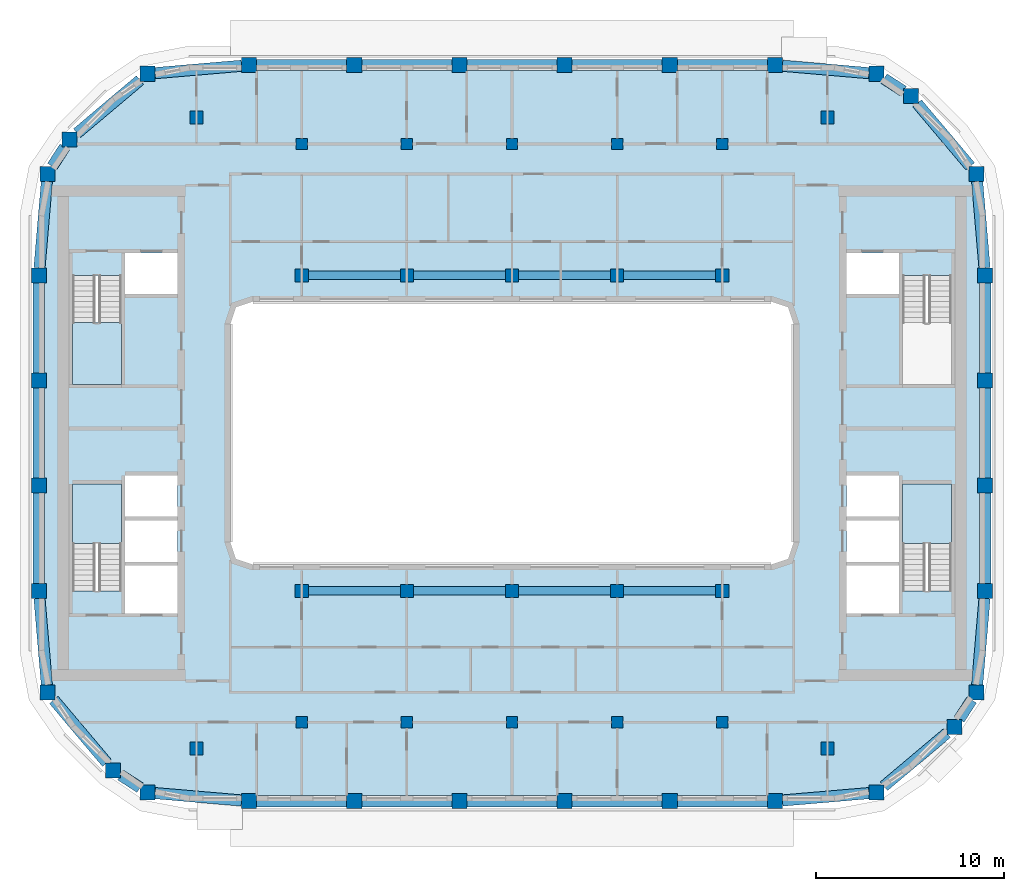
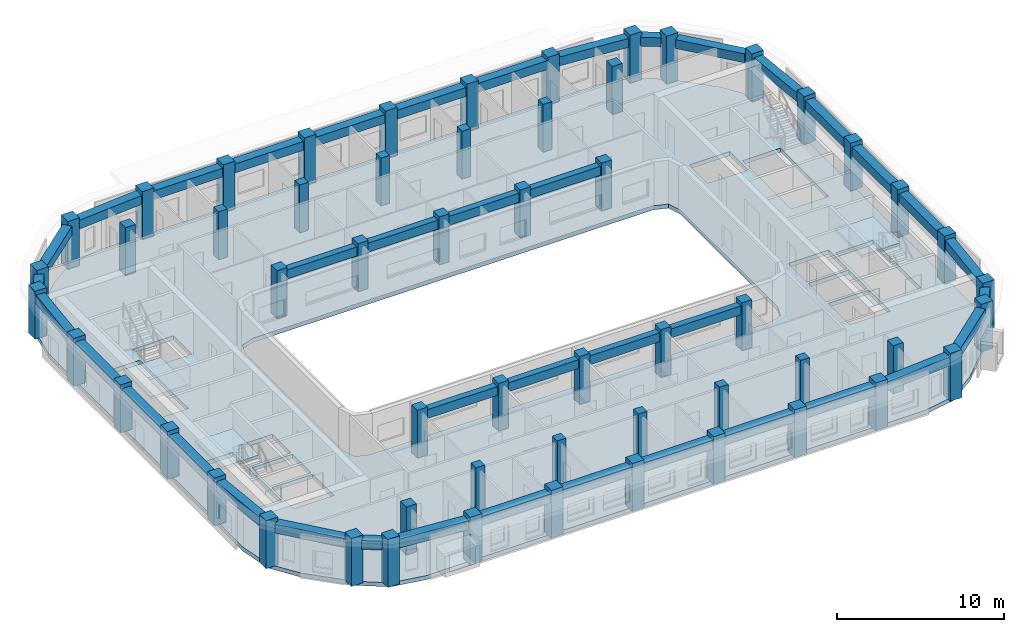
# One storey, part 1 of 16: 56 columns, 40 beams, 4 slabs, 3 elements without a shape of their own.
"""IFC4 building model written with IfcOpenShell, lengths in metres."""

from ifc_helpers import new_model, si_unit, direction, frame, origin, origin_2d, place, context, subcontext, project, spatial, polyline, rectangle, outline, extrude, material, layer, layer_set, material_profile, profile_set, type_object, element, aggregate, save


model = new_model("IFC4")

# Units and contexts
model_context = context("Model", 3, precision=1e-05, world=origin(), true_north=direction((0.0, 1.0)))
body_context = subcontext(model_context, "Body", "Model", "MODEL_VIEW")
ifc_project = project(units=[si_unit("LENGTHUNIT", "METRE"), si_unit("AREAUNIT", "SQUARE_METRE"), si_unit("VOLUMEUNIT", "CUBIC_METRE"), si_unit("PLANEANGLEUNIT", "RADIAN"), si_unit("MASSUNIT", "GRAM", prefix="KILO")], contexts=[model_context])

# Site, building, storey
site_placement = place(None, origin())
site = spatial("IfcSite", under=ifc_project, at=site_placement, CompositionType="ELEMENT")
building_placement = place(site_placement, origin())
building = spatial("IfcBuilding", under=site, at=building_placement, Name="Kiln Ring Residences", CompositionType="ELEMENT")
storey_placement = place(building_placement, frame((0.0, 0.0, 255.699951171875)))
storey = spatial("IfcBuildingStorey", under=building, at=storey_placement, Name="L66", CompositionType="ELEMENT", Elevation=255.699951171875)

# Columns
ifc_material_1 = material(Name="Concrete C60/75", Category="concrete")
ifc_material_profile_1 = material_profile(ifc_material_1, rectangle(XDim=0.60009765625, YDim=0.60009765625, at=origin_2d()), Name="RC600x600")
ifc_profile_set_1 = profile_set([ifc_material_profile_1], Name="Concrete C60/75")
column_type_1 = type_object("IfcColumnType", Name="Corridor column RC600x600 C60/75", PredefinedType="COLUMN", material=ifc_profile_set_1)
for number, where, z_axis, x_axis, name in (
    (1, (-11.199951171875, 15.39990234375, 0.0), (0.0, 0.0, 1.0), (1.0, 0.0, 0.0), "Corridor column L66 1"),
    (2, (-5.60009765625, 15.39990234375, 0.0), (0.0, 0.0, 1.0), (1.0, 0.0, 0.0), "Corridor column L66 2"),
    (3, (0.0, 15.39990234375, 0.0), (0.0, 0.0, 1.0), (1.0, 0.0, 0.0), "Corridor column L66 3"),
    (4, (5.60009765625, 15.39990234375, 0.0), (0.0, 0.0, 1.0), (1.0, 0.0, 0.0), "Corridor column L66 4"),
    (5, (11.199951171875, 15.39990234375, 0.0), (0.0, 0.0, 1.0), (1.0, 0.0, 0.0), "Corridor column L66 5"),
    (6, (-11.199951171875, -15.39990234375, 0.0), (0.0, 0.0, 1.0), (1.0, 0.0, 0.0), "Corridor column L66 6"),
    (7, (-5.60009765625, -15.39990234375, 0.0), (0.0, 0.0, 1.0), (1.0, 0.0, 0.0), "Corridor column L66 7"),
    (8, (0.0, -15.39990234375, 0.0), (0.0, 0.0, 1.0), (1.0, 0.0, 0.0), "Corridor column L66 8"),
    (9, (5.60009765625, -15.39990234375, 0.0), (0.0, 0.0, 1.0), (1.0, 0.0, 0.0), "Corridor column L66 9"),
    (10, (11.199951171875, -15.39990234375, 0.0), (0.0, 0.0, 1.0), (1.0, 0.0, 0.0), "Corridor column L66 10"),
):
    element("IfcColumn", number, at=place(storey_placement, frame(where, z_axis=z_axis, x_axis=x_axis)), inside=storey, type_object=column_type_1, Name=name, PredefinedType="COLUMN", context=body_context, shape_type="SweptSolid", body=[
        extrude(rectangle(XDim=0.60009765625, YDim=0.60009765625, at=origin_2d()), origin(), (0.0, 0.0, 1.0), 3.5),
    ])
ifc_material_2 = material(Name="Concrete C60/75", Category="concrete")
ifc_material_profile_2 = material_profile(ifc_material_2, rectangle(XDim=0.800048828125, YDim=0.800048828125, at=origin_2d()), Name="RC800x800")
ifc_profile_set_2 = profile_set([ifc_material_profile_2], Name="Concrete C60/75")
column_type_2 = type_object("IfcColumnType", Name="Perimeter column RC800x800 C60/75", PredefinedType="COLUMN", material=ifc_profile_set_2)
for number, where, z_axis, x_axis, name in (
    (11, (-19.40869140625, -19.13818359375, 0.0), (0.0, 0.0, 1.0), (1.0, 0.0, 0.0), "Perimeter column L66 1"),
    (12, (-14.0, -19.60009765625, 0.0), (0.0, 0.0, 1.0), (1.0, 0.0, 0.0), "Perimeter column L66 2"),
    (13, (-8.39990234375, -19.60009765625, 0.0), (0.0, 0.0, 1.0), (1.0, 0.0, 0.0), "Perimeter column L66 3"),
    (14, (-2.800048828125, -19.60009765625, 0.0), (0.0, 0.0, 1.0), (1.0, 0.0, 0.0), "Perimeter column L66 4"),
    (15, (2.800048828125, -19.60009765625, 0.0), (0.0, 0.0, 1.0), (1.0, 0.0, 0.0), "Perimeter column L66 5"),
    (16, (8.39990234375, -19.60009765625, 0.0), (0.0, 0.0, 1.0), (1.0, 0.0, 0.0), "Perimeter column L66 6"),
    (17, (14.0, -19.60009765625, 0.0), (0.0, 0.0, 1.0), (1.0, 0.0, 0.0), "Perimeter column L66 7"),
    (18, (19.40869140625, -19.13818359375, 0.0), (0.0, 0.0, 1.0), (1.0, 0.0, 0.0), "Perimeter column L66 8"),
    (19, (23.559814453125, -15.64013671875, 0.0), (0.0, 0.0, 1.0), (1.0, 0.0, 0.0), "Perimeter column L66 9"),
    (20, (24.738037109375, -13.80859375, 0.0), (0.0, 0.0, 1.0), (1.0, 0.0, 0.0), "Perimeter column L66 10"),
    (21, (25.199951171875, -8.39990234375, 0.0), (0.0, 0.0, 1.0), (1.0, 0.0, 0.0), "Perimeter column L66 11"),
    (22, (25.199951171875, -2.800048828125, 0.0), (0.0, 0.0, 1.0), (1.0, 0.0, 0.0), "Perimeter column L66 12"),
    (23, (25.199951171875, 2.800048828125, 0.0), (0.0, 0.0, 1.0), (1.0, 0.0, 0.0), "Perimeter column L66 13"),
    (24, (25.199951171875, 8.39990234375, 0.0), (0.0, 0.0, 1.0), (1.0, 0.0, 0.0), "Perimeter column L66 14"),
    (25, (24.738037109375, 13.80859375, 0.0), (0.0, 0.0, 1.0), (1.0, 0.0, 0.0), "Perimeter column L66 15"),
    (26, (21.240234375, 17.959716796875, 0.0), (0.0, 0.0, 1.0), (1.0, 0.0, 0.0), "Perimeter column L66 16"),
    (27, (19.40869140625, 19.13818359375, 0.0), (0.0, 0.0, 1.0), (1.0, 0.0, 0.0), "Perimeter column L66 17"),
    (28, (14.0, 19.60009765625, 0.0), (0.0, 0.0, 1.0), (1.0, 0.0, 0.0), "Perimeter column L66 18"),
    (29, (8.39990234375, 19.60009765625, 0.0), (0.0, 0.0, 1.0), (1.0, 0.0, 0.0), "Perimeter column L66 19"),
    (30, (2.800048828125, 19.60009765625, 0.0), (0.0, 0.0, 1.0), (1.0, 0.0, 0.0), "Perimeter column L66 20"),
    (31, (-2.800048828125, 19.60009765625, 0.0), (0.0, 0.0, 1.0), (1.0, 0.0, 0.0), "Perimeter column L66 21"),
    (32, (-8.39990234375, 19.60009765625, 0.0), (0.0, 0.0, 1.0), (1.0, 0.0, 0.0), "Perimeter column L66 22"),
    (33, (-14.0, 19.60009765625, 0.0), (0.0, 0.0, 1.0), (1.0, 0.0, 0.0), "Perimeter column L66 23"),
    (34, (-19.40869140625, 19.13818359375, 0.0), (0.0, 0.0, 1.0), (1.0, 0.0, 0.0), "Perimeter column L66 24"),
    (35, (-23.559814453125, 15.64013671875, 0.0), (0.0, 0.0, 1.0), (1.0, 0.0, 0.0), "Perimeter column L66 25"),
    (36, (-24.738037109375, 13.80859375, 0.0), (0.0, 0.0, 1.0), (1.0, 0.0, 0.0), "Perimeter column L66 26"),
    (37, (-25.199951171875, 8.39990234375, 0.0), (0.0, 0.0, 1.0), (1.0, 0.0, 0.0), "Perimeter column L66 27"),
    (38, (-25.199951171875, 2.800048828125, 0.0), (0.0, 0.0, 1.0), (1.0, 0.0, 0.0), "Perimeter column L66 28"),
    (39, (-25.199951171875, -2.800048828125, 0.0), (0.0, 0.0, 1.0), (1.0, 0.0, 0.0), "Perimeter column L66 29"),
    (40, (-25.199951171875, -8.39990234375, 0.0), (0.0, 0.0, 1.0), (1.0, 0.0, 0.0), "Perimeter column L66 30"),
    (41, (-24.738037109375, -13.80859375, 0.0), (0.0, 0.0, 1.0), (1.0, 0.0, 0.0), "Perimeter column L66 31"),
    (42, (-21.240234375, -17.959716796875, 0.0), (0.0, 0.0, 1.0), (1.0, 0.0, 0.0), "Perimeter column L66 32"),
):
    element("IfcColumn", number, at=place(storey_placement, frame(where, z_axis=z_axis, x_axis=x_axis)), inside=storey, type_object=column_type_2, Name=name, PredefinedType="COLUMN", context=body_context, shape_type="SweptSolid", body=[
        extrude(rectangle(XDim=0.800048828125, YDim=0.800048828125, at=origin_2d()), origin(), (0.0, 0.0, 1.0), 3.5),
    ])
ifc_material_3 = material(Name="Concrete C60/75", Category="concrete")
ifc_material_profile_3 = material_profile(ifc_material_3, rectangle(XDim=0.699951171875, YDim=0.699951171875, at=origin_2d()), Name="RC700x700")
ifc_profile_set_3 = profile_set([ifc_material_profile_3], Name="Concrete C60/75")
column_type_3 = type_object("IfcColumnType", Name="Ring column RC700x700 C60/75", PredefinedType="COLUMN", material=ifc_profile_set_3)
for number, where, z_axis, x_axis, name in (
    (43, (-16.800048828125, -16.800048828125, 0.0), (0.0, 0.0, 1.0), (1.0, 0.0, 0.0), "Ring column L66 1"),
    (44, (-16.800048828125, 16.800048828125, 0.0), (0.0, 0.0, 1.0), (1.0, 0.0, 0.0), "Ring column L66 2"),
    (45, (-11.199951171875, -8.39990234375, 0.0), (0.0, 0.0, 1.0), (1.0, 0.0, 0.0), "Ring column L66 3"),
    (46, (-11.199951171875, 8.39990234375, 0.0), (0.0, 0.0, 1.0), (1.0, 0.0, 0.0), "Ring column L66 4"),
    (47, (-5.60009765625, -8.39990234375, 0.0), (0.0, 0.0, 1.0), (1.0, 0.0, 0.0), "Ring column L66 5"),
    (48, (-5.60009765625, 8.39990234375, 0.0), (0.0, 0.0, 1.0), (1.0, 0.0, 0.0), "Ring column L66 6"),
    (49, (0.0, -8.39990234375, 0.0), (0.0, 0.0, 1.0), (1.0, 0.0, 0.0), "Ring column L66 7"),
    (50, (0.0, 8.39990234375, 0.0), (0.0, 0.0, 1.0), (1.0, 0.0, 0.0), "Ring column L66 8"),
    (51, (5.60009765625, -8.39990234375, 0.0), (0.0, 0.0, 1.0), (1.0, 0.0, 0.0), "Ring column L66 9"),
    (52, (5.60009765625, 8.39990234375, 0.0), (0.0, 0.0, 1.0), (1.0, 0.0, 0.0), "Ring column L66 10"),
    (53, (11.199951171875, -8.39990234375, 0.0), (0.0, 0.0, 1.0), (1.0, 0.0, 0.0), "Ring column L66 11"),
    (54, (11.199951171875, 8.39990234375, 0.0), (0.0, 0.0, 1.0), (1.0, 0.0, 0.0), "Ring column L66 12"),
    (55, (16.800048828125, -16.800048828125, 0.0), (0.0, 0.0, 1.0), (1.0, 0.0, 0.0), "Ring column L66 13"),
    (56, (16.800048828125, 16.800048828125, 0.0), (0.0, 0.0, 1.0), (1.0, 0.0, 0.0), "Ring column L66 14"),
):
    element("IfcColumn", number, at=place(storey_placement, frame(where, z_axis=z_axis, x_axis=x_axis)), inside=storey, type_object=column_type_3, Name=name, PredefinedType="COLUMN", context=body_context, shape_type="SweptSolid", body=[
        extrude(rectangle(XDim=0.699951171875, YDim=0.699951171875, at=origin_2d()), origin(), (0.0, 0.0, 1.0), 3.5),
    ])

# Beams
ifc_material_4 = material(Name="Concrete C50/60", Category="concrete")
ifc_material_profile_4 = material_profile(ifc_material_4, rectangle(XDim=0.449951171875, YDim=0.64990234375, at=origin_2d()), Name="RC450x650")
ifc_profile_set_4 = profile_set([ifc_material_profile_4], Name="Concrete C50/60")
beam_type_1 = type_object("IfcBeamType", Name="Ring beam RC450x650 C50/60", PredefinedType="BEAM", material=ifc_profile_set_4)
beam_1_placement = place(storey_placement, frame((-10.85009765625, -8.39990234375, 2.875), z_axis=(1.0, 0.0, 0.0), x_axis=(0.0, 1.0, 0.0)))
element("IfcBeam", 57, at=beam_1_placement, inside=storey, type_object=beam_type_1, Name="Ring beam L66 1", PredefinedType="BEAM", context=body_context, shape_type="SweptSolid", body=[
    extrude(rectangle(XDim=0.449951171875, YDim=0.64990234375, at=origin_2d()), origin(), (0.0, 0.0, 1.0), 4.900146484375),
])
for number, where, z_axis, x_axis, name in (
    (58, (-5.25, -8.39990234375, 2.875), (1.0, 0.0, 0.0), (0.0, 1.0, 0.0), "Ring beam L66 2"),
    (59, (0.35009765625, -8.39990234375, 2.875), (1.0, 0.0, 0.0), (0.0, 1.0, 0.0), "Ring beam L66 3"),
):
    element("IfcBeam", number, at=place(storey_placement, frame(where, z_axis=z_axis, x_axis=x_axis)), inside=storey, type_object=beam_type_1, Name=name, PredefinedType="BEAM", context=body_context, shape_type="SweptSolid", body=[
        extrude(rectangle(XDim=0.449951171875, YDim=0.64990234375, at=origin_2d()), origin(), (0.0, 0.0, 1.0), 4.89990234375),
    ])
for number, where, z_axis, x_axis, name in (
    (60, (5.949951171875, -8.39990234375, 2.875), (1.0, 0.0, 0.0), (0.0, 1.0, 0.0), "Ring beam L66 4"),
    (61, (-10.85009765625, 8.39990234375, 2.875), (1.0, 0.0, 0.0), (0.0, 1.0, 0.0), "Ring beam L66 5"),
):
    element("IfcBeam", number, at=place(storey_placement, frame(where, z_axis=z_axis, x_axis=x_axis)), inside=storey, type_object=beam_type_1, Name=name, PredefinedType="BEAM", context=body_context, shape_type="SweptSolid", body=[
        extrude(rectangle(XDim=0.449951171875, YDim=0.64990234375, at=origin_2d()), origin(), (0.0, 0.0, 1.0), 4.900146484375),
    ])
for number, where, z_axis, x_axis, name in (
    (62, (-5.25, 8.39990234375, 2.875), (1.0, 0.0, 0.0), (0.0, 1.0, 0.0), "Ring beam L66 6"),
    (63, (0.35009765625, 8.39990234375, 2.875), (1.0, 0.0, 0.0), (0.0, 1.0, 0.0), "Ring beam L66 7"),
):
    element("IfcBeam", number, at=place(storey_placement, frame(where, z_axis=z_axis, x_axis=x_axis)), inside=storey, type_object=beam_type_1, Name=name, PredefinedType="BEAM", context=body_context, shape_type="SweptSolid", body=[
        extrude(rectangle(XDim=0.449951171875, YDim=0.64990234375, at=origin_2d()), origin(), (0.0, 0.0, 1.0), 4.89990234375),
    ])
beam_2_placement = place(storey_placement, frame((5.949951171875, 8.39990234375, 2.875), z_axis=(1.0, 0.0, 0.0), x_axis=(0.0, 1.0, 0.0)))
element("IfcBeam", 64, at=beam_2_placement, inside=storey, type_object=beam_type_1, Name="Ring beam L66 8", PredefinedType="BEAM", context=body_context, shape_type="SweptSolid", body=[
    extrude(rectangle(XDim=0.449951171875, YDim=0.64990234375, at=origin_2d()), origin(), (0.0, 0.0, 1.0), 4.900146484375),
])
ifc_material_5 = material(Name="Concrete C50/60", Category="concrete")
ifc_material_profile_5 = material_profile(ifc_material_5, rectangle(XDim=0.60009765625, YDim=0.64990234375, at=origin_2d()), Name="RC600x650")
ifc_profile_set_5 = profile_set([ifc_material_profile_5], Name="Concrete C50/60")
beam_type_2 = type_object("IfcBeamType", Name="Spandrel beam RC600x650 C50/60", PredefinedType="SPANDREL", material=ifc_profile_set_5)
beam_3_placement = place(storey_placement, frame((-19.0087890625, -19.17236328125, 2.875), z_axis=(0.996374056639, -0.085080780766, 0.0), x_axis=(0.085080780766, 0.996374056639, 0.0)))
element("IfcBeam", 65, at=beam_3_placement, inside=storey, type_object=beam_type_2, Name="Spandrel beam L66 1", PredefinedType="SPANDREL", context=body_context, shape_type="SweptSolid", body=[
    extrude(rectangle(XDim=0.60009765625, YDim=0.64990234375, at=origin_2d()), origin(), (0.0, 0.0, 1.0), 4.625732421875),
])
for number, where, z_axis, x_axis, name in (
    (66, (-13.60009765625, -19.60009765625, 2.875), (1.0, 0.0, 0.0), (0.0, 1.0, 0.0), "Spandrel beam L66 2"),
    (67, (-8.0, -19.60009765625, 2.875), (1.0, 0.0, 0.0), (0.0, 1.0, 0.0), "Spandrel beam L66 3"),
):
    element("IfcBeam", number, at=place(storey_placement, frame(where, z_axis=z_axis, x_axis=x_axis)), inside=storey, type_object=beam_type_2, Name=name, PredefinedType="SPANDREL", context=body_context, shape_type="SweptSolid", body=[
        extrude(rectangle(XDim=0.60009765625, YDim=0.64990234375, at=origin_2d()), origin(), (0.0, 0.0, 1.0), 4.800048828125),
    ])
beam_4_placement = place(storey_placement, frame((-2.39990234375, -19.60009765625, 2.875), z_axis=(1.0, 0.0, 0.0), x_axis=(0.0, 1.0, 0.0)))
element("IfcBeam", 68, at=beam_4_placement, inside=storey, type_object=beam_type_2, Name="Spandrel beam L66 4", PredefinedType="SPANDREL", context=body_context, shape_type="SweptSolid", body=[
    extrude(rectangle(XDim=0.60009765625, YDim=0.64990234375, at=origin_2d()), origin(), (0.0, 0.0, 1.0), 4.7998046875),
])
for number, where, z_axis, x_axis, name in (
    (69, (3.199951171875, -19.60009765625, 2.875), (1.0, 0.0, 0.0), (0.0, 1.0, 0.0), "Spandrel beam L66 5"),
    (70, (8.800048828125, -19.60009765625, 2.875), (1.0, 0.0, 0.0), (0.0, 1.0, 0.0), "Spandrel beam L66 6"),
):
    element("IfcBeam", number, at=place(storey_placement, frame(where, z_axis=z_axis, x_axis=x_axis)), inside=storey, type_object=beam_type_2, Name=name, PredefinedType="SPANDREL", context=body_context, shape_type="SweptSolid", body=[
        extrude(rectangle(XDim=0.60009765625, YDim=0.64990234375, at=origin_2d()), origin(), (0.0, 0.0, 1.0), 4.800048828125),
    ])
beam_5_placement = place(storey_placement, frame((14.39990234375, -19.56591796875, 2.875), z_axis=(0.996374056639, 0.085080780766, 0.0), x_axis=(-0.085080780766, 0.996374056639, 0.0)))
element("IfcBeam", 71, at=beam_5_placement, inside=storey, type_object=beam_type_2, Name="Spandrel beam L66 7", PredefinedType="SPANDREL", context=body_context, shape_type="SweptSolid", body=[
    extrude(rectangle(XDim=0.60009765625, YDim=0.64990234375, at=origin_2d()), origin(), (0.0, 0.0, 1.0), 4.625732421875),
])
beam_6_placement = place(storey_placement, frame((19.80859375, -18.801025390625, 2.875), z_axis=(0.764734919154, 0.644345018936, 0.0), x_axis=(-0.644345018936, 0.764734919154, 0.0)))
element("IfcBeam", 72, at=beam_6_placement, inside=storey, type_object=beam_type_2, Name="Spandrel beam L66 8", PredefinedType="SPANDREL", context=body_context, shape_type="SweptSolid", body=[
    extrude(rectangle(XDim=0.60009765625, YDim=0.64990234375, at=origin_2d()), origin(), (0.0, 0.0, 1.0), 4.38232421875),
])
beam_7_placement = place(storey_placement, frame((23.817138671875, -15.240234375, 2.875), z_axis=(0.541029196589, 0.841003810002, 0.0), x_axis=(-0.841003810002, 0.541029196589, 0.0)))
element("IfcBeam", 73, at=beam_7_placement, inside=storey, type_object=beam_type_2, Name="Spandrel beam L66 9", PredefinedType="SPANDREL", context=body_context, shape_type="SweptSolid", body=[
    extrude(rectangle(XDim=0.60009765625, YDim=0.64990234375, at=origin_2d()), origin(), (0.0, 0.0, 1.0), 1.2265625),
])
beam_8_placement = place(storey_placement, frame((24.772216796875, -13.40869140625, 2.875), z_axis=(0.085085255251, 0.996373674551, 0.0), x_axis=(-0.996373674551, 0.085085255251, 0.0)))
element("IfcBeam", 74, at=beam_8_placement, inside=storey, type_object=beam_type_2, Name="Spandrel beam L66 10", PredefinedType="SPANDREL", context=body_context, shape_type="SweptSolid", body=[
    extrude(rectangle(XDim=0.60009765625, YDim=0.64990234375, at=origin_2d()), origin(), (0.0, 0.0, 1.0), 4.62548828125),
])
beam_9_placement = place(storey_placement, frame((25.199951171875, -8.0, 2.875), z_axis=(0.0, 1.0, 0.0), x_axis=(-1.0, 0.0, 0.0)))
element("IfcBeam", 75, at=beam_9_placement, inside=storey, type_object=beam_type_2, Name="Spandrel beam L66 11", PredefinedType="SPANDREL", context=body_context, shape_type="SweptSolid", body=[
    extrude(rectangle(XDim=0.60009765625, YDim=0.64990234375, at=origin_2d()), origin(), (0.0, 0.0, 1.0), 4.800048828125),
])
beam_10_placement = place(storey_placement, frame((25.199951171875, -2.39990234375, 2.875), z_axis=(0.0, 1.0, 0.0), x_axis=(-1.0, 0.0, 0.0)))
element("IfcBeam", 76, at=beam_10_placement, inside=storey, type_object=beam_type_2, Name="Spandrel beam L66 12", PredefinedType="SPANDREL", context=body_context, shape_type="SweptSolid", body=[
    extrude(rectangle(XDim=0.60009765625, YDim=0.64990234375, at=origin_2d()), origin(), (0.0, 0.0, 1.0), 4.7998046875),
])
beam_11_placement = place(storey_placement, frame((25.199951171875, 3.199951171875, 2.875), z_axis=(0.0, 1.0, 0.0), x_axis=(-1.0, 0.0, 0.0)))
element("IfcBeam", 77, at=beam_11_placement, inside=storey, type_object=beam_type_2, Name="Spandrel beam L66 13", PredefinedType="SPANDREL", context=body_context, shape_type="SweptSolid", body=[
    extrude(rectangle(XDim=0.60009765625, YDim=0.64990234375, at=origin_2d()), origin(), (0.0, 0.0, 1.0), 4.800048828125),
])
beam_12_placement = place(storey_placement, frame((25.165771484375, 8.800048828125, 2.875), z_axis=(-0.085085255251, 0.996373674551, 0.0), x_axis=(-0.996373674551, -0.085085255251, 0.0)))
element("IfcBeam", 78, at=beam_12_placement, inside=storey, type_object=beam_type_2, Name="Spandrel beam L66 14", PredefinedType="SPANDREL", context=body_context, shape_type="SweptSolid", body=[
    extrude(rectangle(XDim=0.60009765625, YDim=0.64990234375, at=origin_2d()), origin(), (0.0, 0.0, 1.0), 4.62548828125),
])
beam_13_placement = place(storey_placement, frame((24.401123046875, 14.208740234375, 2.875), z_axis=(-0.644405049218, 0.764684335227, 0.0), x_axis=(-0.764684335227, -0.644405049218, 0.0)))
element("IfcBeam", 79, at=beam_13_placement, inside=storey, type_object=beam_type_2, Name="Spandrel beam L66 15", PredefinedType="SPANDREL", context=body_context, shape_type="SweptSolid", body=[
    extrude(rectangle(XDim=0.60009765625, YDim=0.64990234375, at=origin_2d()), origin(), (0.0, 0.0, 1.0), 4.38232421875),
])
beam_14_placement = place(storey_placement, frame((20.840087890625, 18.217041015625, 2.875), z_axis=(-0.840913236818, 0.541169962345, 0.0), x_axis=(-0.541169962345, -0.840913236818, 0.0)))
element("IfcBeam", 80, at=beam_14_placement, inside=storey, type_object=beam_type_2, Name="Spandrel beam L66 16", PredefinedType="SPANDREL", context=body_context, shape_type="SweptSolid", body=[
    extrude(rectangle(XDim=0.60009765625, YDim=0.64990234375, at=origin_2d()), origin(), (0.0, 0.0, 1.0), 1.2265625),
])
beam_15_placement = place(storey_placement, frame((19.0087890625, 19.17236328125, 2.875), z_axis=(-0.996374056639, 0.085080780766, 0.0), x_axis=(-0.085080780766, -0.996374056639, 0.0)))
element("IfcBeam", 81, at=beam_15_placement, inside=storey, type_object=beam_type_2, Name="Spandrel beam L66 17", PredefinedType="SPANDREL", context=body_context, shape_type="SweptSolid", body=[
    extrude(rectangle(XDim=0.60009765625, YDim=0.64990234375, at=origin_2d()), origin(), (0.0, 0.0, 1.0), 4.625732421875),
])
for number, where, z_axis, x_axis, name in (
    (82, (13.60009765625, 19.60009765625, 2.875), (-1.0, 0.0, 0.0), (0.0, -1.0, 0.0), "Spandrel beam L66 18"),
    (83, (8.0, 19.60009765625, 2.875), (-1.0, 0.0, 0.0), (0.0, -1.0, 0.0), "Spandrel beam L66 19"),
):
    element("IfcBeam", number, at=place(storey_placement, frame(where, z_axis=z_axis, x_axis=x_axis)), inside=storey, type_object=beam_type_2, Name=name, PredefinedType="SPANDREL", context=body_context, shape_type="SweptSolid", body=[
        extrude(rectangle(XDim=0.60009765625, YDim=0.64990234375, at=origin_2d()), origin(), (0.0, 0.0, 1.0), 4.800048828125),
    ])
beam_16_placement = place(storey_placement, frame((2.39990234375, 19.60009765625, 2.875), z_axis=(-1.0, 0.0, 0.0), x_axis=(0.0, -1.0, 0.0)))
element("IfcBeam", 84, at=beam_16_placement, inside=storey, type_object=beam_type_2, Name="Spandrel beam L66 20", PredefinedType="SPANDREL", context=body_context, shape_type="SweptSolid", body=[
    extrude(rectangle(XDim=0.60009765625, YDim=0.64990234375, at=origin_2d()), origin(), (0.0, 0.0, 1.0), 4.7998046875),
])
for number, where, z_axis, x_axis, name in (
    (85, (-3.199951171875, 19.60009765625, 2.875), (-1.0, 0.0, 0.0), (0.0, -1.0, 0.0), "Spandrel beam L66 21"),
    (86, (-8.800048828125, 19.60009765625, 2.875), (-1.0, 0.0, 0.0), (0.0, -1.0, 0.0), "Spandrel beam L66 22"),
):
    element("IfcBeam", number, at=place(storey_placement, frame(where, z_axis=z_axis, x_axis=x_axis)), inside=storey, type_object=beam_type_2, Name=name, PredefinedType="SPANDREL", context=body_context, shape_type="SweptSolid", body=[
        extrude(rectangle(XDim=0.60009765625, YDim=0.64990234375, at=origin_2d()), origin(), (0.0, 0.0, 1.0), 4.800048828125),
    ])
beam_17_placement = place(storey_placement, frame((-14.39990234375, 19.56591796875, 2.875), z_axis=(-0.996374056639, -0.085080780766, 0.0), x_axis=(0.085080780766, -0.996374056639, 0.0)))
element("IfcBeam", 87, at=beam_17_placement, inside=storey, type_object=beam_type_2, Name="Spandrel beam L66 23", PredefinedType="SPANDREL", context=body_context, shape_type="SweptSolid", body=[
    extrude(rectangle(XDim=0.60009765625, YDim=0.64990234375, at=origin_2d()), origin(), (0.0, 0.0, 1.0), 4.625732421875),
])
beam_18_placement = place(storey_placement, frame((-19.80859375, 18.801025390625, 2.875), z_axis=(-0.764734919154, -0.644345018936, 0.0), x_axis=(0.644345018936, -0.764734919154, 0.0)))
element("IfcBeam", 88, at=beam_18_placement, inside=storey, type_object=beam_type_2, Name="Spandrel beam L66 24", PredefinedType="SPANDREL", context=body_context, shape_type="SweptSolid", body=[
    extrude(rectangle(XDim=0.60009765625, YDim=0.64990234375, at=origin_2d()), origin(), (0.0, 0.0, 1.0), 4.38232421875),
])
beam_19_placement = place(storey_placement, frame((-23.817138671875, 15.240234375, 2.875), z_axis=(-0.541029196589, -0.841003810002, 0.0), x_axis=(0.841003810002, -0.541029196589, 0.0)))
element("IfcBeam", 89, at=beam_19_placement, inside=storey, type_object=beam_type_2, Name="Spandrel beam L66 25", PredefinedType="SPANDREL", context=body_context, shape_type="SweptSolid", body=[
    extrude(rectangle(XDim=0.60009765625, YDim=0.64990234375, at=origin_2d()), origin(), (0.0, 0.0, 1.0), 1.2265625),
])
beam_20_placement = place(storey_placement, frame((-24.772216796875, 13.40869140625, 2.875), z_axis=(-0.085085255251, -0.996373674551, 0.0), x_axis=(0.996373674551, -0.085085255251, 0.0)))
element("IfcBeam", 90, at=beam_20_placement, inside=storey, type_object=beam_type_2, Name="Spandrel beam L66 26", PredefinedType="SPANDREL", context=body_context, shape_type="SweptSolid", body=[
    extrude(rectangle(XDim=0.60009765625, YDim=0.64990234375, at=origin_2d()), origin(), (0.0, 0.0, 1.0), 4.62548828125),
])
beam_21_placement = place(storey_placement, frame((-25.199951171875, 8.0, 2.875), z_axis=(0.0, -1.0, 0.0), x_axis=(1.0, 0.0, 0.0)))
element("IfcBeam", 91, at=beam_21_placement, inside=storey, type_object=beam_type_2, Name="Spandrel beam L66 27", PredefinedType="SPANDREL", context=body_context, shape_type="SweptSolid", body=[
    extrude(rectangle(XDim=0.60009765625, YDim=0.64990234375, at=origin_2d()), origin(), (0.0, 0.0, 1.0), 4.800048828125),
])
beam_22_placement = place(storey_placement, frame((-25.199951171875, 2.39990234375, 2.875), z_axis=(0.0, -1.0, 0.0), x_axis=(1.0, 0.0, 0.0)))
element("IfcBeam", 92, at=beam_22_placement, inside=storey, type_object=beam_type_2, Name="Spandrel beam L66 28", PredefinedType="SPANDREL", context=body_context, shape_type="SweptSolid", body=[
    extrude(rectangle(XDim=0.60009765625, YDim=0.64990234375, at=origin_2d()), origin(), (0.0, 0.0, 1.0), 4.7998046875),
])
beam_23_placement = place(storey_placement, frame((-25.199951171875, -3.199951171875, 2.875), z_axis=(0.0, -1.0, 0.0), x_axis=(1.0, 0.0, 0.0)))
element("IfcBeam", 93, at=beam_23_placement, inside=storey, type_object=beam_type_2, Name="Spandrel beam L66 29", PredefinedType="SPANDREL", context=body_context, shape_type="SweptSolid", body=[
    extrude(rectangle(XDim=0.60009765625, YDim=0.64990234375, at=origin_2d()), origin(), (0.0, 0.0, 1.0), 4.800048828125),
])
beam_24_placement = place(storey_placement, frame((-25.165771484375, -8.800048828125, 2.875), z_axis=(0.085085255251, -0.996373674551, 0.0), x_axis=(0.996373674551, 0.085085255251, 0.0)))
element("IfcBeam", 94, at=beam_24_placement, inside=storey, type_object=beam_type_2, Name="Spandrel beam L66 30", PredefinedType="SPANDREL", context=body_context, shape_type="SweptSolid", body=[
    extrude(rectangle(XDim=0.60009765625, YDim=0.64990234375, at=origin_2d()), origin(), (0.0, 0.0, 1.0), 4.62548828125),
])
beam_25_placement = place(storey_placement, frame((-24.401123046875, -14.208740234375, 2.875), z_axis=(0.644405049218, -0.764684335227, 0.0), x_axis=(0.764684335227, 0.644405049218, 0.0)))
element("IfcBeam", 95, at=beam_25_placement, inside=storey, type_object=beam_type_2, Name="Spandrel beam L66 31", PredefinedType="SPANDREL", context=body_context, shape_type="SweptSolid", body=[
    extrude(rectangle(XDim=0.60009765625, YDim=0.64990234375, at=origin_2d()), origin(), (0.0, 0.0, 1.0), 4.38232421875),
])
beam_26_placement = place(storey_placement, frame((-20.840087890625, -18.217041015625, 2.875), z_axis=(0.840913236818, -0.541169962345, 0.0), x_axis=(0.541169962345, 0.840913236818, 0.0)))
element("IfcBeam", 96, at=beam_26_placement, inside=storey, type_object=beam_type_2, Name="Spandrel beam L66 32", PredefinedType="SPANDREL", context=body_context, shape_type="SweptSolid", body=[
    extrude(rectangle(XDim=0.60009765625, YDim=0.64990234375, at=origin_2d()), origin(), (0.0, 0.0, 1.0), 1.2265625),
])

# Stair, slab
ifc_material_6 = material(Name="Concrete C40/50", Category="concrete")
stair_type = type_object("IfcStairType", Name="CORE-STAIR", PredefinedType="HALF_TURN_STAIR", material=ifc_material_6)
placement_1 = place(storey_placement, origin())
stair_1 = element("IfcStair", 97, at=placement_1, inside=storey, type_object=stair_type, Name="L66 stair W-STN", PredefinedType="HALF_TURN_STAIR")
ifc_material_7 = material(Name="Concrete C40/50", Category="concrete")
ifc_layer_1 = layer(ifc_material_7, 0.199951171875)
ifc_layer_set_1 = layer_set([ifc_layer_1], Name="CORE-STAIR-LANDING")
slab_type_1 = type_object("IfcSlabType", Name="CORE-STAIR-LANDING", PredefinedType="LANDING", material=ifc_layer_set_1)
placement_2 = place(storey_placement, frame((0.0, 0.0, 1.550048828125)))
slab_1 = element("IfcSlab", 98, at=placement_2, type_object=slab_type_1, Name="W-STN landing 1", PredefinedType="LANDING", context=body_context, shape_type="SweptSolid", body=[
    extrude(outline(polyline([(-23.39990234375, 5.8798828125), (-23.39990234375, 2.60009765625), (-20.800048828125, 2.60009765625), (-20.800048828125, 5.8798828125), (-23.39990234375, 5.8798828125)])), origin(), (0.0, 0.0, 1.0), 0.199951171875),
])
aggregate(stair_1, [slab_1])

stair_2 = element("IfcStair", 99, at=placement_1, inside=storey, type_object=stair_type, Name="L66 stair W-STS", PredefinedType="HALF_TURN_STAIR")
slab_2 = element("IfcSlab", 100, at=placement_2, type_object=slab_type_1, Name="W-STS landing 1", PredefinedType="LANDING", context=body_context, shape_type="SweptSolid", body=[
    extrude(outline(polyline([(-20.800048828125, -5.8798828125), (-20.800048828125, -2.699951171875), (-23.39990234375, -2.699951171875), (-23.39990234375, -5.8798828125), (-20.800048828125, -5.8798828125)])), origin(), (0.0, 0.0, 1.0), 0.199951171875),
])
aggregate(stair_2, [slab_2])

stair_3 = element("IfcStair", 101, at=placement_1, inside=storey, type_object=stair_type, Name="L66 stair E-STS", PredefinedType="HALF_TURN_STAIR")
slab_3 = element("IfcSlab", 102, at=placement_2, type_object=slab_type_1, Name="E-STS landing 1", PredefinedType="LANDING", context=body_context, shape_type="SweptSolid", body=[
    extrude(outline(polyline([(23.39990234375, -5.8798828125), (23.39990234375, -2.699951171875), (20.800048828125, -2.699951171875), (20.800048828125, -5.8798828125), (23.39990234375, -5.8798828125)])), origin(), (0.0, 0.0, 1.0), 0.199951171875),
])
aggregate(stair_3, [slab_3])

# Slab
ifc_material_8 = material(Name="Concrete C40/50", Category="concrete")
ifc_layer_2 = layer(ifc_material_8, 0.300048828125)
ifc_layer_set_2 = layer_set([ifc_layer_2], Name="Floor slab 300")
slab_type_2 = type_object("IfcSlabType", Name="Floor slab 300", PredefinedType="FLOOR", material=ifc_layer_set_2)
slab_4_placement = place(storey_placement, frame((0.0, 0.0, -0.300048828125)))
element("IfcSlab", 103, at=slab_4_placement, inside=storey, type_object=slab_type_2, Name="Floor slab L66 1", PredefinedType="FLOOR", context=body_context, shape_type="SweptSolid", body=[
    extrude(outline(polyline([(-23.5029296875, -15.697021484375), (-21.297119140625, -17.90283203125), (-19.42431640625, -19.17578125), (-17.199951171875, -19.60009765625), (17.199951171875, -19.60009765625), (19.42431640625, -19.17578125), (21.297119140625, -17.90283203125), (23.5029296875, -15.697021484375), (24.775634765625, -13.82421875), (25.199951171875, -11.60009765625), (25.199951171875, 11.60009765625), (24.775634765625, 13.82421875), (23.5029296875, 15.697021484375), (21.297119140625, 17.90283203125), (19.42431640625, 19.17578125), (17.199951171875, 19.60009765625), (-17.199951171875, 19.60009765625), (-19.42431640625, 19.17578125), (-21.297119140625, 17.90283203125), (-23.5029296875, 15.697021484375), (-24.775634765625, 13.82421875), (-25.199951171875, 11.60009765625), (-25.199951171875, -11.60009765625), (-24.775634765625, -13.82421875), (-23.5029296875, -15.697021484375)]), holes=[polyline([(-14.699951171875, -6.699951171875), (-15.0, -5.800048828125), (-15.0, 5.800048828125), (-14.699951171875, 6.699951171875), (-13.800048828125, 7.0), (13.800048828125, 7.0), (14.699951171875, 6.699951171875), (15.0, 5.800048828125), (15.0, -5.800048828125), (14.699951171875, -6.699951171875), (13.800048828125, -7.0), (-13.800048828125, -7.0), (-14.699951171875, -6.699951171875)]), polyline([(20.800048828125, -8.39794921875), (20.800048828125, -2.699951171875), (23.39990234375, -2.699951171875), (23.39990234375, -8.39794921875), (20.800048828125, -8.39794921875)]), polyline([(20.800048828125, 2.60009765625), (20.800048828125, 8.39794921875), (23.39990234375, 8.39794921875), (23.39990234375, 2.60009765625), (20.800048828125, 2.60009765625)]), polyline([(17.800048828125, -6.85009765625), (17.800048828125, -4.64990234375), (20.60009765625, -4.64990234375), (20.60009765625, -6.85009765625), (17.800048828125, -6.85009765625)]), polyline([(17.800048828125, 7.39990234375), (17.800048828125, 9.60009765625), (20.60009765625, 9.60009765625), (20.60009765625, 7.39990234375), (17.800048828125, 7.39990234375)]), polyline([(20.60009765625, -9.60009765625), (17.800048828125, -9.60009765625), (17.800048828125, -7.050048828125), (20.60009765625, -7.050048828125), (20.60009765625, -9.60009765625)]), polyline([(20.60009765625, -4.449951171875), (17.800048828125, -4.449951171875), (17.800048828125, -2.25), (20.60009765625, -2.25), (20.60009765625, -4.449951171875)]), polyline([(-17.800048828125, -7.050048828125), (-17.800048828125, -9.60009765625), (-20.60009765625, -9.60009765625), (-20.60009765625, -7.050048828125), (-17.800048828125, -7.050048828125)]), polyline([(-17.800048828125, -6.85009765625), (-20.60009765625, -6.85009765625), (-20.60009765625, -4.64990234375), (-17.800048828125, -4.64990234375), (-17.800048828125, -6.85009765625)]), polyline([(-17.800048828125, -2.25), (-17.800048828125, -4.449951171875), (-20.60009765625, -4.449951171875), (-20.60009765625, -2.25), (-17.800048828125, -2.25)]), polyline([(-17.800048828125, 7.39990234375), (-20.60009765625, 7.39990234375), (-20.60009765625, 9.60009765625), (-17.800048828125, 9.60009765625), (-17.800048828125, 7.39990234375)]), polyline([(-20.800048828125, -8.39794921875), (-23.39990234375, -8.39794921875), (-23.39990234375, -2.699951171875), (-20.800048828125, -2.699951171875), (-20.800048828125, -8.39794921875)]), polyline([(-20.800048828125, 2.60009765625), (-23.39990234375, 2.60009765625), (-23.39990234375, 8.39794921875), (-20.800048828125, 8.39794921875), (-20.800048828125, 2.60009765625)])]), origin(), (0.0, 0.0, 1.0), 0.300048828125),
])

save(model, "model.ifc")
